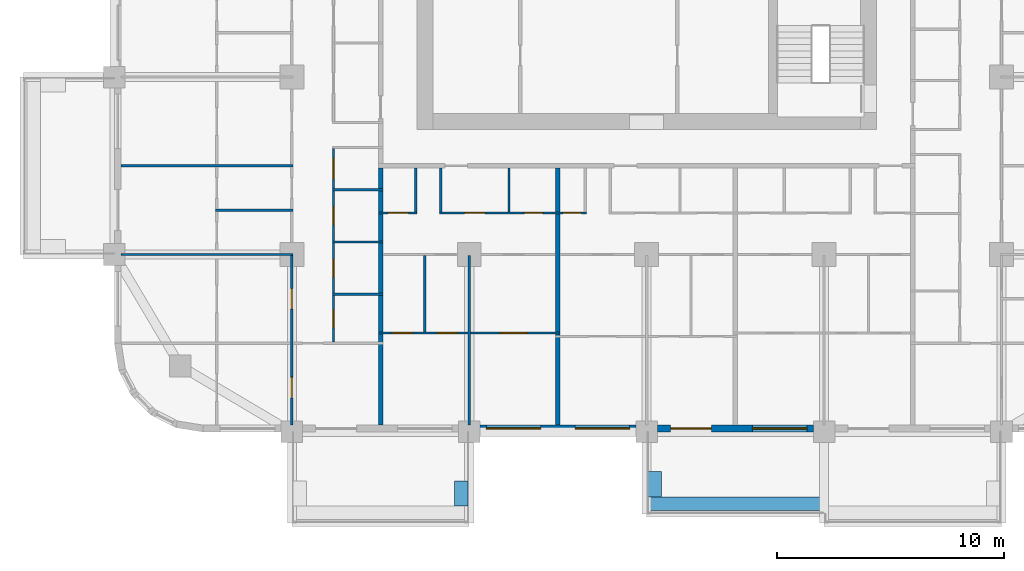
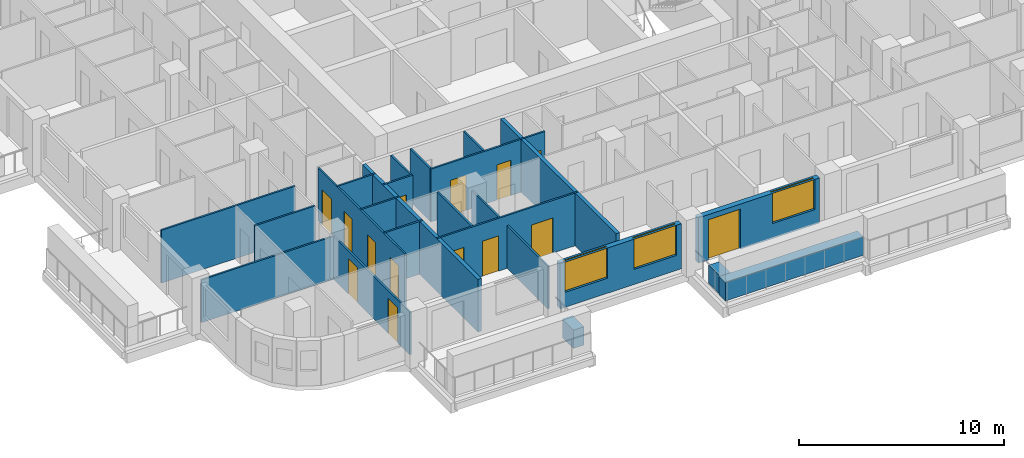
# One storey, part 3 of 18: 23 walls, 14 doors, 3 windows, 17 openings.
"""IFC4 building model written with IfcOpenShell, lengths in metres."""

from ifc_helpers import new_model, si_unit, direction, frame, frame_2d, origin, place, context, subcontext, project, spatial, rectangle, extrude, material, layer, layer_set, type_object, element, fill, save


model = new_model("IFC4")

# Units and contexts
model_context = context("Model", 3, precision=1e-05, world=origin(), true_north=direction((0.0, 1.0)))
body_context = subcontext(model_context, "Body", "Model", "MODEL_VIEW")
ifc_project = project(units=[si_unit("LENGTHUNIT", "METRE"), si_unit("AREAUNIT", "SQUARE_METRE"), si_unit("VOLUMEUNIT", "CUBIC_METRE"), si_unit("PLANEANGLEUNIT", "RADIAN"), si_unit("MASSUNIT", "GRAM", prefix="KILO")], contexts=[model_context])

# Site, building, storey
site_placement = place(None, origin())
site = spatial("IfcSite", under=ifc_project, at=site_placement, CompositionType="ELEMENT")
building_placement = place(site_placement, origin())
building = spatial("IfcBuilding", under=site, at=building_placement, Name="Ludao Terraces", CompositionType="ELEMENT")
storey_placement = place(building_placement, frame((0.0, 0.0, 75.0)))
storey = spatial("IfcBuildingStorey", under=building, at=storey_placement, Name="L20", CompositionType="ELEMENT", Elevation=75.0)

# Walls
ifc_material_1 = material(Name="Concrete C40", Category="concrete")
ifc_layer_1 = layer(ifc_material_1, 0.60009765625)
ifc_layer_set_1 = layer_set([ifc_layer_1], Name="ENV Planter trough 600")
wall_type_1 = type_object("IfcWallType", Name="ENV Planter trough 600", PredefinedType="USERDEFINED", material=ifc_layer_set_1)
wall_1_placement = place(storey_placement, frame((76.85009765625, 38.35009765625, 0.0), z_axis=(0.0, 0.0, 1.0), x_axis=(0.0, 1.0, 0.0)))
element("IfcWall", 1, at=wall_1_placement, inside=storey, type_object=wall_type_1, Name="PL-L20-S1-SB", ObjectType="PLANTER", PredefinedType="USERDEFINED", context=body_context, shape_type="SweptSolid", body=[
    extrude(rectangle(XDim=1.099853515625, YDim=0.60009765625, at=frame_2d((0.5498046875, 0.0))), origin(), (0.0, 0.0, 1.0), 1.10009765625),
])
wall_2_placement = place(storey_placement, frame((85.0, 38.449951171875, 0.0), z_axis=(0.0, 0.0, 1.0), x_axis=(1.0, 0.0, 0.0)))
element("IfcWall", 2, at=wall_2_placement, inside=storey, type_object=wall_type_1, Name="PL-L20-S3", ObjectType="PLANTER", PredefinedType="USERDEFINED", context=body_context, shape_type="SweptSolid", body=[
    extrude(rectangle(XDim=7.800048828125, YDim=0.60009765625, at=frame_2d((3.89990234375, 0.0))), origin(), (0.0, 0.0, 1.0), 1.10009765625),
])
wall_3_placement = place(storey_placement, frame((85.35009765625, 38.75, 0.0), z_axis=(0.0, 0.0, 1.0), x_axis=(0.0, 1.0, 0.0)))
element("IfcWall", 3, at=wall_3_placement, inside=storey, type_object=wall_type_1, Name="PL-L20-S3-SA", ObjectType="PLANTER", PredefinedType="USERDEFINED", context=body_context, shape_type="SweptSolid", body=[
    extrude(rectangle(XDim=1.10009765625, YDim=0.60009765625, at=frame_2d((0.550048828125, 0.0))), origin(), (0.0, 0.0, 1.0), 1.10009765625),
])

# Wall, openings, windows
ifc_material_2 = material(Name="Granite cladding", Category="masonry")
ifc_layer_2 = layer(ifc_material_2, 0.0400390625, Category="stone")
ifc_material_3 = material(Name="Mineral wool")
ifc_layer_3 = layer(ifc_material_3, 0.06005859375)
ifc_layer_4 = layer(ifc_material_1, 0.199951171875, Category="concrete")
ifc_layer_set_2 = layer_set([ifc_layer_2, ifc_layer_3, ifc_layer_4], Name="ENV Stone-clad wall 300")
wall_type_2 = type_object("IfcWallType", Name="ENV Stone-clad wall 300", PredefinedType="SOLIDWALL", material=ifc_layer_set_2)
wall_4_placement = place(storey_placement, frame((77.675048828125, 41.75, 0.0), z_axis=(0.0, 0.0, 1.0), x_axis=(1.0, 0.0, 0.0)))
wall_4 = element("IfcWall", 4, at=wall_4_placement, inside=storey, type_object=wall_type_2, Name="EW-L20-S3", PredefinedType="SOLIDWALL", context=body_context, shape_type="SweptSolid", body=[
    extrude(rectangle(XDim=6.849853515625, YDim=0.300048828125, at=frame_2d((3.4248046875, 0.0))), origin(), (0.0, 0.0, 1.0), 2.699951171875),
])
opening_1_placement = place(wall_4_placement, frame((0.27490234375, 0.0, 0.89990234375)))
opening_1 = element("IfcOpeningElement", 5, at=opening_1_placement, cuts=wall_4, Name="Opening W1", PredefinedType="OPENING", context=body_context, shape_type="SweptSolid", body=[
    extrude(rectangle(XDim=2.39990234375, YDim=1.800048828125, at=frame_2d((1.199951171875, 0.89990234375))), frame((0.0, 0.16015625, 0.0), z_axis=(0.0, -1.0, 0.0), x_axis=(1.0, 0.0, 0.0)), (0.0, 0.0, 1.0), 0.320068359375),
])
opening_2_placement = place(wall_4_placement, frame((4.175048828125, 0.0, 0.89990234375)))
opening_2 = element("IfcOpeningElement", 6, at=opening_2_placement, cuts=wall_4, Name="Opening W1", PredefinedType="OPENING", context=body_context, shape_type="SweptSolid", body=[
    extrude(rectangle(XDim=2.39990234375, YDim=1.800048828125, at=frame_2d((1.199951171875, 0.89990234375))), frame((0.0, 0.16015625, 0.0), z_axis=(0.0, -1.0, 0.0), x_axis=(1.0, 0.0, 0.0)), (0.0, 0.0, 1.0), 0.320068359375),
])
ifc_material_4 = material(Name="Clear glass in aluminium frame", Category="aluminium")
ifc_layer_5 = layer(ifc_material_4, 0.06005859375)
ifc_layer_set_3 = layer_set([ifc_layer_5], Name="ENV Window W1 2400x1800")
window_type = type_object("IfcWindowType", Name="ENV Window W1 2400x1800", PartitioningType="DOUBLE_PANEL_VERTICAL", PredefinedType="WINDOW", material=ifc_layer_set_3)
window_1_placement = place(opening_1_placement, origin())
window_1 = element("IfcWindow", 7, at=window_1_placement, inside=storey, type_object=window_type, Name="W-L20-S3-1", OverallHeight=1.800048828125, OverallWidth=2.39990234375, PartitioningType="DOUBLE_PANEL_VERTICAL", PredefinedType="WINDOW", context=body_context, shape_type="SweptSolid", body=[
    extrude(rectangle(XDim=2.39990234375, YDim=1.800048828125, at=frame_2d((1.199951171875, 0.89990234375))), frame((0.0, 0.030029296875, 0.0), z_axis=(0.0, -1.0, 0.0), x_axis=(1.0, 0.0, 0.0)), (0.0, 0.0, 1.0), 0.06005859375),
])
fill(opening_1, window_1)
window_2_placement = place(opening_2_placement, origin())
window_2 = element("IfcWindow", 8, at=window_2_placement, inside=storey, type_object=window_type, Name="W-L20-S3-2", OverallHeight=1.800048828125, OverallWidth=2.39990234375, PartitioningType="DOUBLE_PANEL_VERTICAL", PredefinedType="WINDOW", context=body_context, shape_type="SweptSolid", body=[
    extrude(rectangle(XDim=2.39990234375, YDim=1.800048828125, at=frame_2d((1.199951171875, 0.89990234375))), frame((0.0, 0.030029296875, 0.0), z_axis=(0.0, -1.0, 0.0), x_axis=(1.0, 0.0, 0.0)), (0.0, 0.0, 1.0), 0.06005859375),
])
fill(opening_2, window_2)

# Wall, openings, door, window
wall_5_placement = place(storey_placement, frame((85.47509765625, 41.75, 0.0), z_axis=(0.0, 0.0, 1.0), x_axis=(1.0, 0.0, 0.0)))
wall_5 = element("IfcWall", 9, at=wall_5_placement, inside=storey, type_object=wall_type_2, Name="EW-L20-S4", PredefinedType="SOLIDWALL", context=body_context, shape_type="SweptSolid", body=[
    extrude(rectangle(XDim=6.849853515625, YDim=0.300048828125, at=frame_2d((3.4248046875, 0.0))), origin(), (0.0, 0.0, 1.0), 2.699951171875),
])
opening_3_placement = place(wall_5_placement, frame((0.574951171875, 0.0, 0.0)))
opening_3 = element("IfcOpeningElement", 10, at=opening_3_placement, cuts=wall_5, Name="Opening BD", PredefinedType="OPENING", context=body_context, shape_type="SweptSolid", body=[
    extrude(rectangle(XDim=1.800048828125, YDim=2.39990234375, at=frame_2d((0.89990234375, 1.199951171875))), frame((0.0, 0.16015625, 0.0), z_axis=(0.0, -1.0, 0.0), x_axis=(1.0, 0.0, 0.0)), (0.0, 0.0, 1.0), 0.320068359375),
])
opening_4_placement = place(wall_5_placement, frame((4.175048828125, 0.0, 0.89990234375)))
opening_4 = element("IfcOpeningElement", 11, at=opening_4_placement, cuts=wall_5, Name="Opening W1", PredefinedType="OPENING", context=body_context, shape_type="SweptSolid", body=[
    extrude(rectangle(XDim=2.39990234375, YDim=1.800048828125, at=frame_2d((1.199951171875, 0.89990234375))), frame((0.0, 0.16015625, 0.0), z_axis=(0.0, -1.0, 0.0), x_axis=(1.0, 0.0, 0.0)), (0.0, 0.0, 1.0), 0.320068359375),
])
ifc_material_5 = material(Name="Aluminium glazed door", Category="aluminium")
ifc_layer_6 = layer(ifc_material_5, 0.06005859375)
ifc_layer_set_4 = layer_set([ifc_layer_6], Name="ENV Balcony door BD 1800x2400")
door_type_1 = type_object("IfcDoorType", Name="ENV Balcony door BD 1800x2400", OperationType="DOUBLE_DOOR_SINGLE_SWING", PredefinedType="DOOR", material=ifc_layer_set_4)
door_1_placement = place(opening_3_placement, origin())
door_1 = element("IfcDoor", 12, at=door_1_placement, inside=storey, type_object=door_type_1, Name="BD-L20-S4-1", OperationType="DOUBLE_DOOR_SINGLE_SWING", OverallHeight=2.39990234375, OverallWidth=1.800048828125, PredefinedType="DOOR", context=body_context, shape_type="SweptSolid", body=[
    extrude(rectangle(XDim=1.800048828125, YDim=2.39990234375, at=frame_2d((0.89990234375, 1.199951171875))), frame((0.0, 0.02490234375, 0.0), z_axis=(0.0, -1.0, 0.0), x_axis=(1.0, 0.0, 0.0)), (0.0, 0.0, 1.0), 0.050048828125),
])
fill(opening_3, door_1)
window_3_placement = place(opening_4_placement, origin())
window_3 = element("IfcWindow", 13, at=window_3_placement, inside=storey, type_object=window_type, Name="W-L20-S4-2", OverallHeight=1.800048828125, OverallWidth=2.39990234375, PartitioningType="DOUBLE_PANEL_VERTICAL", PredefinedType="WINDOW", context=body_context, shape_type="SweptSolid", body=[
    extrude(rectangle(XDim=2.39990234375, YDim=1.800048828125, at=frame_2d((1.199951171875, 0.89990234375))), frame((0.0, 0.030029296875, 0.0), z_axis=(0.0, -1.0, 0.0), x_axis=(1.0, 0.0, 0.0)), (0.0, 0.0, 1.0), 0.06005859375),
])
fill(opening_4, window_3)

# Wall, openings, doors
ifc_material_6 = material(Name="Gypsum plasterboard", Category="gypsum")
ifc_layer_7 = layer(ifc_material_6, 0.012451171875, Category="gypsum")
ifc_layer_8 = layer(ifc_material_3, 0.06005859375, Name="insulation")
ifc_material_7 = material(Name="Steel Q235", Category="steel")
ifc_layer_9 = layer(ifc_material_7, 0.014892578125, Name="stud")
ifc_layer_10 = layer(ifc_material_6, 0.012451171875, Category="gypsum")
ifc_layer_set_5 = layer_set([ifc_layer_7, ifc_layer_8, ifc_layer_9, ifc_layer_10], Name="INT Partition 100")
wall_type_3 = type_object("IfcWallType", Name="INT Partition 100", PredefinedType="PARTITIONING", material=ifc_layer_set_5)
wall_6_placement = place(storey_placement, frame((73.2001953125, 45.949951171875, 0.0), z_axis=(0.0, 0.0, 1.0), x_axis=(1.0, 0.0, 0.0)))
wall_6 = element("IfcWall", 14, at=wall_6_placement, inside=storey, type_object=wall_type_3, Name="PW-L20-PW003", PredefinedType="PARTITIONING", context=body_context, shape_type="SweptSolid", body=[
    extrude(rectangle(XDim=8.0, YDim=0.10009765625, at=frame_2d((4.0, 0.0))), origin(), (0.0, 0.0, 1.0), 3.14990234375),
])
opening_5_placement = place(wall_6_placement, frame((0.625, 0.0, 0.0)))
opening_5 = element("IfcOpeningElement", 15, at=opening_5_placement, cuts=wall_6, Name="Opening R06-010", PredefinedType="OPENING", context=body_context, shape_type="SweptSolid", body=[
    extrude(rectangle(XDim=0.89990234375, YDim=2.10009765625, at=frame_2d((0.449951171875, 1.050048828125))), frame((0.0, 0.06005859375, 0.0), z_axis=(0.0, -1.0, 0.0), x_axis=(1.0, 0.0, 0.0)), (0.0, 0.0, 1.0), 0.1201171875),
])
opening_6_placement = place(wall_6_placement, frame((2.574951171875, 0.0, 0.0)))
opening_6 = element("IfcOpeningElement", 16, at=opening_6_placement, cuts=wall_6, Name="Opening R06-011", PredefinedType="OPENING", context=body_context, shape_type="SweptSolid", body=[
    extrude(rectangle(XDim=0.89990234375, YDim=2.10009765625, at=frame_2d((0.449951171875, 1.050048828125))), frame((0.0, 0.06005859375, 0.0), z_axis=(0.0, -1.0, 0.0), x_axis=(1.0, 0.0, 0.0)), (0.0, 0.0, 1.0), 0.1201171875),
])
opening_7_placement = place(wall_6_placement, frame((5.349853515625, 0.0, 0.0)))
opening_7 = element("IfcOpeningElement", 17, at=opening_7_placement, cuts=wall_6, Name="Opening R06-012", PredefinedType="OPENING", context=body_context, shape_type="SweptSolid", body=[
    extrude(rectangle(XDim=1.199951171875, YDim=2.10009765625, at=frame_2d((0.60009765625, 1.050048828125))), frame((0.0, 0.06005859375, 0.0), z_axis=(0.0, -1.0, 0.0), x_axis=(1.0, 0.0, 0.0)), (0.0, 0.0, 1.0), 0.1201171875),
])
ifc_material_8 = material(Name="Timber door leaf", Category="wood")
door_type_2 = type_object("IfcDoorType", Name="INT Bathroom door 900", OperationType="SINGLE_SWING_LEFT", PredefinedType="DOOR", material=ifc_material_8)
door_2_placement = place(opening_5_placement, origin())
door_2 = element("IfcDoor", 18, at=door_2_placement, inside=storey, type_object=door_type_2, Name="DOOR 010", OperationType="SINGLE_SWING_LEFT", OverallHeight=2.10009765625, OverallWidth=0.89990234375, PredefinedType="DOOR", context=body_context, shape_type="SweptSolid", body=[
    extrude(rectangle(XDim=0.89990234375, YDim=2.10009765625, at=frame_2d((0.449951171875, 1.050048828125))), frame((0.0, 0.02490234375, 0.0), z_axis=(0.0, -1.0, 0.0), x_axis=(1.0, 0.0, 0.0)), (0.0, 0.0, 1.0), 0.050048828125),
])
fill(opening_5, door_2)
door_type_3 = type_object("IfcDoorType", Name="INT Double door 1200", OperationType="DOUBLE_DOOR_SINGLE_SWING", PredefinedType="DOOR", material=ifc_material_8)
door_3_placement = place(opening_7_placement, origin())
door_3 = element("IfcDoor", 19, at=door_3_placement, inside=storey, type_object=door_type_3, Name="DOOR 012", OperationType="DOUBLE_DOOR_SINGLE_SWING", OverallHeight=2.10009765625, OverallWidth=1.199951171875, PredefinedType="DOOR", context=body_context, shape_type="SweptSolid", body=[
    extrude(rectangle(XDim=1.199951171875, YDim=2.10009765625, at=frame_2d((0.60009765625, 1.050048828125))), frame((0.0, 0.02490234375, 0.0), z_axis=(0.0, -1.0, 0.0), x_axis=(1.0, 0.0, 0.0)), (0.0, 0.0, 1.0), 0.050048828125),
])
fill(opening_7, door_3)
door_type_4 = type_object("IfcDoorType", Name="INT Room door 900", OperationType="SINGLE_SWING_LEFT", PredefinedType="DOOR", material=ifc_material_8)
door_4_placement = place(opening_6_placement, origin())
door_4 = element("IfcDoor", 20, at=door_4_placement, inside=storey, type_object=door_type_4, Name="DOOR 011", OperationType="SINGLE_SWING_LEFT", OverallHeight=2.10009765625, OverallWidth=0.89990234375, PredefinedType="DOOR", context=body_context, shape_type="SweptSolid", body=[
    extrude(rectangle(XDim=0.89990234375, YDim=2.10009765625, at=frame_2d((0.449951171875, 1.050048828125))), frame((0.0, 0.02490234375, 0.0), z_axis=(0.0, -1.0, 0.0), x_axis=(1.0, 0.0, 0.0)), (0.0, 0.0, 1.0), 0.050048828125),
])
fill(opening_6, door_4)

# Walls
wall_7_placement = place(storey_placement, frame((71.18017578125, 47.64990234375, 0.0), z_axis=(0.0, 0.0, 1.0), x_axis=(1.0, 0.0, 0.0)))
element("IfcWall", 21, at=wall_7_placement, inside=storey, type_object=wall_type_3, Name="PW-L20-PW006", PredefinedType="PARTITIONING", context=body_context, shape_type="SweptSolid", body=[
    extrude(rectangle(XDim=2.219970703125, YDim=0.10009765625, at=frame_2d((1.10986328125, 0.0))), origin(), (0.0, 0.0, 1.0), 3.14990234375),
])
wall_8_placement = place(storey_placement, frame((61.900146484375, 49.39990234375, 0.0), z_axis=(0.0, 0.0, 1.0), x_axis=(1.0, 0.0, 0.0)))
element("IfcWall", 22, at=wall_8_placement, inside=storey, type_object=wall_type_3, Name="PW-L20-PW008", PredefinedType="PARTITIONING", context=body_context, shape_type="SweptSolid", body=[
    extrude(rectangle(XDim=7.550048828125, YDim=0.10009765625, at=frame_2d((3.77490234375, 0.0))), origin(), (0.0, 0.0, 1.0), 2.550048828125),
])
wall_9_placement = place(storey_placement, frame((71.18017578125, 49.949951171875, 0.0), z_axis=(0.0, 0.0, 1.0), x_axis=(1.0, 0.0, 0.0)))
element("IfcWall", 23, at=wall_9_placement, inside=storey, type_object=wall_type_3, Name="PW-L20-PW011", PredefinedType="PARTITIONING", context=body_context, shape_type="SweptSolid", body=[
    extrude(rectangle(XDim=2.219970703125, YDim=0.10009765625, at=frame_2d((1.10986328125, 0.0))), origin(), (0.0, 0.0, 1.0), 3.14990234375),
])

# Wall, opening, door
wall_10_placement = place(storey_placement, frame((73.2001953125, 51.22998046875, 0.0), z_axis=(0.0, 0.0, 1.0), x_axis=(1.0, 0.0, 0.0)))
wall_10 = element("IfcWall", 24, at=wall_10_placement, inside=storey, type_object=wall_type_3, Name="PW-L20-PW013", PredefinedType="PARTITIONING", context=body_context, shape_type="SweptSolid", body=[
    extrude(rectangle(XDim=1.699951171875, YDim=0.10009765625, at=frame_2d((0.85009765625, 0.0))), origin(), (0.0, 0.0, 1.0), 3.14990234375),
])
opening_8_placement = place(wall_10_placement, frame((0.4248046875, 0.0, 0.0)))
opening_8 = element("IfcOpeningElement", 25, at=opening_8_placement, cuts=wall_10, Name="Opening R06-033", PredefinedType="OPENING", context=body_context, shape_type="SweptSolid", body=[
    extrude(rectangle(XDim=0.89990234375, YDim=2.10009765625, at=frame_2d((0.449951171875, 1.050048828125))), frame((0.0, 0.06005859375, 0.0), z_axis=(0.0, -1.0, 0.0), x_axis=(1.0, 0.0, 0.0)), (0.0, 0.0, 1.0), 0.1201171875),
])
door_5_placement = place(opening_8_placement, origin())
door_5 = element("IfcDoor", 26, at=door_5_placement, inside=storey, type_object=door_type_2, Name="DOOR 033", OperationType="SINGLE_SWING_LEFT", OverallHeight=2.10009765625, OverallWidth=0.89990234375, PredefinedType="DOOR", context=body_context, shape_type="SweptSolid", body=[
    extrude(rectangle(XDim=0.89990234375, YDim=2.10009765625, at=frame_2d((0.449951171875, 1.050048828125))), frame((0.0, 0.02490234375, 0.0), z_axis=(0.0, -1.0, 0.0), x_axis=(1.0, 0.0, 0.0)), (0.0, 0.0, 1.0), 0.050048828125),
])
fill(opening_8, door_5)

# Wall, openings, doors
wall_11_placement = place(storey_placement, frame((75.900146484375, 51.22998046875, 0.0), z_axis=(0.0, 0.0, 1.0), x_axis=(1.0, 0.0, 0.0)))
wall_11 = element("IfcWall", 27, at=wall_11_placement, inside=storey, type_object=wall_type_3, Name="PW-L20-PW014", PredefinedType="PARTITIONING", context=body_context, shape_type="SweptSolid", body=[
    extrude(rectangle(XDim=6.449951171875, YDim=0.10009765625, at=frame_2d((3.22509765625, 0.0))), origin(), (0.0, 0.0, 1.0), 3.14990234375),
])
opening_9_placement = place(wall_11_placement, frame((1.10009765625, 0.0, 0.0)))
opening_9 = element("IfcOpeningElement", 28, at=opening_9_placement, cuts=wall_11, Name="Opening R06-034", PredefinedType="OPENING", context=body_context, shape_type="SweptSolid", body=[
    extrude(rectangle(XDim=0.89990234375, YDim=2.10009765625, at=frame_2d((0.449951171875, 1.050048828125))), frame((0.0, 0.06005859375, 0.0), z_axis=(0.0, -1.0, 0.0), x_axis=(1.0, 0.0, 0.0)), (0.0, 0.0, 1.0), 0.1201171875),
])
opening_10_placement = place(wall_11_placement, frame((3.72509765625, 0.0, 0.0)))
opening_10 = element("IfcOpeningElement", 29, at=opening_10_placement, cuts=wall_11, Name="Opening R06-035", PredefinedType="OPENING", context=body_context, shape_type="SweptSolid", body=[
    extrude(rectangle(XDim=0.800048828125, YDim=2.10009765625, at=frame_2d((0.39990234375, 1.050048828125))), frame((0.0, 0.06005859375, 0.0), z_axis=(0.0, -1.0, 0.0), x_axis=(1.0, 0.0, 0.0)), (0.0, 0.0, 1.0), 0.1201171875),
])
opening_11_placement = place(wall_11_placement, frame((5.425048828125, 0.0, 0.0)))
opening_11 = element("IfcOpeningElement", 30, at=opening_11_placement, cuts=wall_11, Name="Opening R06-036", PredefinedType="OPENING", context=body_context, shape_type="SweptSolid", body=[
    extrude(rectangle(XDim=0.800048828125, YDim=2.10009765625, at=frame_2d((0.39990234375, 1.050048828125))), frame((0.0, 0.06005859375, 0.0), z_axis=(0.0, -1.0, 0.0), x_axis=(1.0, 0.0, 0.0)), (0.0, 0.0, 1.0), 0.1201171875),
])
door_6_placement = place(opening_9_placement, origin())
door_6 = element("IfcDoor", 31, at=door_6_placement, inside=storey, type_object=door_type_4, Name="DOOR 034", OperationType="SINGLE_SWING_LEFT", OverallHeight=2.10009765625, OverallWidth=0.89990234375, PredefinedType="DOOR", context=body_context, shape_type="SweptSolid", body=[
    extrude(rectangle(XDim=0.89990234375, YDim=2.10009765625, at=frame_2d((0.449951171875, 1.050048828125))), frame((0.0, 0.02490234375, 0.0), z_axis=(0.0, -1.0, 0.0), x_axis=(1.0, 0.0, 0.0)), (0.0, 0.0, 1.0), 0.050048828125),
])
fill(opening_9, door_6)
door_type_5 = type_object("IfcDoorType", Name="INT Store door 800", OperationType="SINGLE_SWING_LEFT", PredefinedType="DOOR", material=ifc_material_8)
door_7_placement = place(opening_10_placement, origin())
door_7 = element("IfcDoor", 32, at=door_7_placement, inside=storey, type_object=door_type_5, Name="DOOR 035", OperationType="SINGLE_SWING_RIGHT", OverallHeight=2.10009765625, OverallWidth=0.800048828125, PredefinedType="DOOR", context=body_context, shape_type="SweptSolid", body=[
    extrude(rectangle(XDim=0.800048828125, YDim=2.10009765625, at=frame_2d((0.39990234375, 1.050048828125))), frame((0.0, 0.02490234375, 0.0), z_axis=(0.0, -1.0, 0.0), x_axis=(1.0, 0.0, 0.0)), (0.0, 0.0, 1.0), 0.050048828125),
])
fill(opening_10, door_7)
door_8_placement = place(opening_11_placement, origin())
door_8 = element("IfcDoor", 33, at=door_8_placement, inside=storey, type_object=door_type_5, Name="DOOR 036", OperationType="SINGLE_SWING_LEFT", OverallHeight=2.10009765625, OverallWidth=0.800048828125, PredefinedType="DOOR", context=body_context, shape_type="SweptSolid", body=[
    extrude(rectangle(XDim=0.800048828125, YDim=2.10009765625, at=frame_2d((0.39990234375, 1.050048828125))), frame((0.0, 0.02490234375, 0.0), z_axis=(0.0, -1.0, 0.0), x_axis=(1.0, 0.0, 0.0)), (0.0, 0.0, 1.0), 0.050048828125),
])
fill(opening_11, door_8)

# Walls
wall_12_placement = place(storey_placement, frame((66.050048828125, 51.35009765625, 0.0), z_axis=(0.0, 0.0, 1.0), x_axis=(1.0, 0.0, 0.0)))
element("IfcWall", 34, at=wall_12_placement, inside=storey, type_object=wall_type_3, Name="PW-L20-PW017", PredefinedType="PARTITIONING", context=body_context, shape_type="SweptSolid", body=[
    extrude(rectangle(XDim=3.400146484375, YDim=0.10009765625, at=frame_2d((1.7001953125, 0.0))), origin(), (0.0, 0.0, 1.0), 3.14990234375),
])
wall_13_placement = place(storey_placement, frame((71.18017578125, 52.25, 0.0), z_axis=(0.0, 0.0, 1.0), x_axis=(1.0, 0.0, 0.0)))
element("IfcWall", 35, at=wall_13_placement, inside=storey, type_object=wall_type_3, Name="PW-L20-PW018", PredefinedType="PARTITIONING", context=body_context, shape_type="SweptSolid", body=[
    extrude(rectangle(XDim=2.219970703125, YDim=0.10009765625, at=frame_2d((1.10986328125, 0.0))), origin(), (0.0, 0.0, 1.0), 3.14990234375),
])
wall_14_placement = place(storey_placement, frame((61.900146484375, 53.300048828125, 0.0), z_axis=(0.0, 0.0, 1.0), x_axis=(1.0, 0.0, 0.0)))
element("IfcWall", 36, at=wall_14_placement, inside=storey, type_object=wall_type_3, Name="PW-L20-PW019", PredefinedType="PARTITIONING", context=body_context, shape_type="SweptSolid", body=[
    extrude(rectangle(XDim=7.550048828125, YDim=0.10009765625, at=frame_2d((3.77490234375, 0.0))), origin(), (0.0, 0.0, 1.0), 3.14990234375),
])

# Wall, openings, doors
wall_15_placement = place(storey_placement, frame((69.39990234375, 41.900146484375, 0.0), z_axis=(0.0, 0.0, 1.0), x_axis=(0.0, 1.0, 0.0)))
wall_15 = element("IfcWall", 37, at=wall_15_placement, inside=storey, type_object=wall_type_3, Name="PW-L20-PW083", PredefinedType="PARTITIONING", context=body_context, shape_type="SweptSolid", body=[
    extrude(rectangle(XDim=7.499755859375, YDim=0.10009765625, at=frame_2d((3.75, 0.0))), origin(), (0.0, 0.0, 1.0), 2.550048828125),
])
opening_12_placement = place(wall_15_placement, frame((1.199951171875, 0.0, 0.0)))
opening_12 = element("IfcOpeningElement", 38, at=opening_12_placement, cuts=wall_15, Name="Opening R06-002", PredefinedType="OPENING", context=body_context, shape_type="SweptSolid", body=[
    extrude(rectangle(XDim=0.89990234375, YDim=2.10009765625, at=frame_2d((0.449951171875, 1.050048828125))), frame((0.0, 0.06005859375, 0.0), z_axis=(0.0, -1.0, 0.0), x_axis=(1.0, 0.0, 0.0)), (0.0, 0.0, 1.0), 0.1201171875),
])
opening_13_placement = place(wall_15_placement, frame((5.10009765625, 0.0, 0.0)))
opening_13 = element("IfcOpeningElement", 39, at=opening_13_placement, cuts=wall_15, Name="Opening R06-020", PredefinedType="OPENING", context=body_context, shape_type="SweptSolid", body=[
    extrude(rectangle(XDim=0.89990234375, YDim=2.10009765625, at=frame_2d((0.449951171875, 1.050048828125))), frame((0.0, 0.06005859375, 0.0), z_axis=(0.0, -1.0, 0.0), x_axis=(1.0, 0.0, 0.0)), (0.0, 0.0, 1.0), 0.1201171875),
])
door_9_placement = place(opening_12_placement, origin())
door_9 = element("IfcDoor", 40, at=door_9_placement, inside=storey, type_object=door_type_4, Name="DOOR 002", OperationType="SINGLE_SWING_LEFT", OverallHeight=2.10009765625, OverallWidth=0.89990234375, PredefinedType="DOOR", context=body_context, shape_type="SweptSolid", body=[
    extrude(rectangle(XDim=0.89990234375, YDim=2.10009765625, at=frame_2d((0.449951171875, 1.050048828125))), frame((0.0, 0.02490234375, 0.0), z_axis=(0.0, -1.0, 0.0), x_axis=(1.0, 0.0, 0.0)), (0.0, 0.0, 1.0), 0.050048828125),
])
fill(opening_12, door_9)
door_10_placement = place(opening_13_placement, origin())
door_10 = element("IfcDoor", 41, at=door_10_placement, inside=storey, type_object=door_type_4, Name="DOOR 020", OperationType="SINGLE_SWING_LEFT", OverallHeight=2.10009765625, OverallWidth=0.89990234375, PredefinedType="DOOR", context=body_context, shape_type="SweptSolid", body=[
    extrude(rectangle(XDim=0.89990234375, YDim=2.10009765625, at=frame_2d((0.449951171875, 1.050048828125))), frame((0.0, 0.02490234375, 0.0), z_axis=(0.0, -1.0, 0.0), x_axis=(1.0, 0.0, 0.0)), (0.0, 0.0, 1.0), 0.050048828125),
])
fill(opening_13, door_10)

wall_16_placement = place(storey_placement, frame((71.22998046875, 45.550048828125, 0.0), z_axis=(0.0, 0.0, 1.0), x_axis=(0.0, 1.0, 0.0)))
wall_16 = element("IfcWall", 42, at=wall_16_placement, inside=storey, type_object=wall_type_3, Name="PW-L20-PW084", PredefinedType="PARTITIONING", context=body_context, shape_type="SweptSolid", body=[
    extrude(rectangle(XDim=8.5, YDim=0.10009765625, at=frame_2d((4.25, 0.0))), origin(), (0.0, 0.0, 1.0), 3.14990234375),
])
opening_14_placement = place(wall_16_placement, frame((0.625, 0.0, 0.0)))
opening_14 = element("IfcOpeningElement", 43, at=opening_14_placement, cuts=wall_16, Name="Opening R06-017", PredefinedType="OPENING", context=body_context, shape_type="SweptSolid", body=[
    extrude(rectangle(XDim=0.800048828125, YDim=2.10009765625, at=frame_2d((0.39990234375, 1.050048828125))), frame((0.0, 0.06005859375, 0.0), z_axis=(0.0, -1.0, 0.0), x_axis=(1.0, 0.0, 0.0)), (0.0, 0.0, 1.0), 0.1201171875),
])
opening_15_placement = place(wall_16_placement, frame((2.85009765625, 0.0, 0.0)))
opening_15 = element("IfcOpeningElement", 44, at=opening_15_placement, cuts=wall_16, Name="Opening R06-023", PredefinedType="OPENING", context=body_context, shape_type="SweptSolid", body=[
    extrude(rectangle(XDim=0.800048828125, YDim=2.10009765625, at=frame_2d((0.39990234375, 1.050048828125))), frame((0.0, 0.06005859375, 0.0), z_axis=(0.0, -1.0, 0.0), x_axis=(1.0, 0.0, 0.0)), (0.0, 0.0, 1.0), 0.1201171875),
])
opening_16_placement = place(wall_16_placement, frame((5.14990234375, 0.0, 0.0)))
opening_16 = element("IfcOpeningElement", 45, at=opening_16_placement, cuts=wall_16, Name="Opening R06-032", PredefinedType="OPENING", context=body_context, shape_type="SweptSolid", body=[
    extrude(rectangle(XDim=0.800048828125, YDim=2.10009765625, at=frame_2d((0.39990234375, 1.050048828125))), frame((0.0, 0.06005859375, 0.0), z_axis=(0.0, -1.0, 0.0), x_axis=(1.0, 0.0, 0.0)), (0.0, 0.0, 1.0), 0.1201171875),
])
opening_17_placement = place(wall_16_placement, frame((7.175048828125, 0.0, 0.0)))
opening_17 = element("IfcOpeningElement", 46, at=opening_17_placement, cuts=wall_16, Name="Opening R06-047", PredefinedType="OPENING", context=body_context, shape_type="SweptSolid", body=[
    extrude(rectangle(XDim=0.89990234375, YDim=2.10009765625, at=frame_2d((0.449951171875, 1.050048828125))), frame((0.0, 0.06005859375, 0.0), z_axis=(0.0, -1.0, 0.0), x_axis=(1.0, 0.0, 0.0)), (0.0, 0.0, 1.0), 0.1201171875),
])
door_11_placement = place(opening_17_placement, origin())
door_11 = element("IfcDoor", 47, at=door_11_placement, inside=storey, type_object=door_type_2, Name="DOOR 047", OperationType="SINGLE_SWING_LEFT", OverallHeight=2.10009765625, OverallWidth=0.89990234375, PredefinedType="DOOR", context=body_context, shape_type="SweptSolid", body=[
    extrude(rectangle(XDim=0.89990234375, YDim=2.10009765625, at=frame_2d((0.449951171875, 1.050048828125))), frame((0.0, 0.02490234375, 0.0), z_axis=(0.0, -1.0, 0.0), x_axis=(1.0, 0.0, 0.0)), (0.0, 0.0, 1.0), 0.050048828125),
])
fill(opening_17, door_11)
door_12_placement = place(opening_14_placement, origin())
door_12 = element("IfcDoor", 48, at=door_12_placement, inside=storey, type_object=door_type_5, Name="DOOR 017", OperationType="SINGLE_SWING_RIGHT", OverallHeight=2.10009765625, OverallWidth=0.800048828125, PredefinedType="DOOR", context=body_context, shape_type="SweptSolid", body=[
    extrude(rectangle(XDim=0.800048828125, YDim=2.10009765625, at=frame_2d((0.39990234375, 1.050048828125))), frame((0.0, 0.02490234375, 0.0), z_axis=(0.0, -1.0, 0.0), x_axis=(1.0, 0.0, 0.0)), (0.0, 0.0, 1.0), 0.050048828125),
])
fill(opening_14, door_12)
door_13_placement = place(opening_15_placement, origin())
door_13 = element("IfcDoor", 49, at=door_13_placement, inside=storey, type_object=door_type_5, Name="DOOR 023", OperationType="SINGLE_SWING_RIGHT", OverallHeight=2.10009765625, OverallWidth=0.800048828125, PredefinedType="DOOR", context=body_context, shape_type="SweptSolid", body=[
    extrude(rectangle(XDim=0.800048828125, YDim=2.10009765625, at=frame_2d((0.39990234375, 1.050048828125))), frame((0.0, 0.02490234375, 0.0), z_axis=(0.0, -1.0, 0.0), x_axis=(1.0, 0.0, 0.0)), (0.0, 0.0, 1.0), 0.050048828125),
])
fill(opening_15, door_13)
door_14_placement = place(opening_16_placement, origin())
door_14 = element("IfcDoor", 50, at=door_14_placement, inside=storey, type_object=door_type_5, Name="DOOR 032", OperationType="SINGLE_SWING_RIGHT", OverallHeight=2.10009765625, OverallWidth=0.800048828125, PredefinedType="DOOR", context=body_context, shape_type="SweptSolid", body=[
    extrude(rectangle(XDim=0.800048828125, YDim=2.10009765625, at=frame_2d((0.39990234375, 1.050048828125))), frame((0.0, 0.02490234375, 0.0), z_axis=(0.0, -1.0, 0.0), x_axis=(1.0, 0.0, 0.0)), (0.0, 0.0, 1.0), 0.050048828125),
])
fill(opening_16, door_14)

# Walls
wall_17_placement = place(storey_placement, frame((74.85009765625, 51.280029296875, 0.0), z_axis=(0.0, 0.0, 1.0), x_axis=(0.0, 1.0, 0.0)))
element("IfcWall", 51, at=wall_17_placement, inside=storey, type_object=wall_type_3, Name="PW-L20-PW091", PredefinedType="PARTITIONING", context=body_context, shape_type="SweptSolid", body=[
    extrude(rectangle(XDim=1.920166015625, YDim=0.10009765625, at=frame_2d((0.9599609375, 0.0))), origin(), (0.0, 0.0, 1.0), 3.14990234375),
])
wall_18_placement = place(storey_placement, frame((75.25, 46.0, 0.0), z_axis=(0.0, 0.0, 1.0), x_axis=(0.0, 1.0, 0.0)))
element("IfcWall", 52, at=wall_18_placement, inside=storey, type_object=wall_type_3, Name="PW-L20-PW092", PredefinedType="PARTITIONING", context=body_context, shape_type="SweptSolid", body=[
    extrude(rectangle(XDim=3.35009765625, YDim=0.10009765625, at=frame_2d((1.675048828125, 0.0))), origin(), (0.0, 0.0, 1.0), 3.14990234375),
])
wall_19_placement = place(storey_placement, frame((75.949951171875, 51.280029296875, 0.0), z_axis=(0.0, 0.0, 1.0), x_axis=(0.0, 1.0, 0.0)))
element("IfcWall", 53, at=wall_19_placement, inside=storey, type_object=wall_type_3, Name="PW-L20-PW093", PredefinedType="PARTITIONING", context=body_context, shape_type="SweptSolid", body=[
    extrude(rectangle(XDim=1.920166015625, YDim=0.10009765625, at=frame_2d((0.9599609375, 0.0))), origin(), (0.0, 0.0, 1.0), 3.14990234375),
])
wall_20_placement = place(storey_placement, frame((77.199951171875, 41.900146484375, 0.0), z_axis=(0.0, 0.0, 1.0), x_axis=(0.0, 1.0, 0.0)))
element("IfcWall", 54, at=wall_20_placement, inside=storey, type_object=wall_type_3, Name="PW-L20-PW094", PredefinedType="PARTITIONING", context=body_context, shape_type="SweptSolid", body=[
    extrude(rectangle(XDim=7.449951171875, YDim=0.10009765625, at=frame_2d((3.72509765625, 0.0))), origin(), (0.0, 0.0, 1.0), 2.550048828125),
])
wall_21_placement = place(storey_placement, frame((78.949951171875, 51.280029296875, 0.0), z_axis=(0.0, 0.0, 1.0), x_axis=(0.0, 1.0, 0.0)))
element("IfcWall", 55, at=wall_21_placement, inside=storey, type_object=wall_type_3, Name="PW-L20-PW096", PredefinedType="PARTITIONING", context=body_context, shape_type="SweptSolid", body=[
    extrude(rectangle(XDim=1.920166015625, YDim=0.10009765625, at=frame_2d((0.9599609375, 0.0))), origin(), (0.0, 0.0, 1.0), 3.14990234375),
])
ifc_material_9 = material(Name="Autoclaved aerated concrete block B06 A3.5", Category="concrete")
ifc_layer_11 = layer(ifc_material_9, 0.199951171875)
ifc_layer_set_6 = layer_set([ifc_layer_11], Name="INT Party wall 200")
wall_type_4 = type_object("IfcWallType", Name="INT Party wall 200", PredefinedType="PARTITIONING", material=ifc_layer_set_6)
for number, where, z_axis, x_axis, name in (
    (56, (73.300048828125, 41.900146484375, 0.0), (0.0, 0.0, 1.0), (0.0, 1.0, 0.0), "PW-L20-PW088"),
    (57, (81.10009765625, 41.900146484375, 0.0), (0.0, 0.0, 1.0), (0.0, 1.0, 0.0), "PW-L20-PW098"),
):
    element("IfcWall", number, at=place(storey_placement, frame(where, z_axis=z_axis, x_axis=x_axis)), inside=storey, type_object=wall_type_4, Name=name, PredefinedType="PARTITIONING", context=body_context, shape_type="SweptSolid", body=[
        extrude(rectangle(XDim=11.300048828125, YDim=0.199951171875, at=frame_2d((5.64990234375, 0.0))), origin(), (0.0, 0.0, 1.0), 3.14990234375),
    ])

save(model, "model.ifc")
